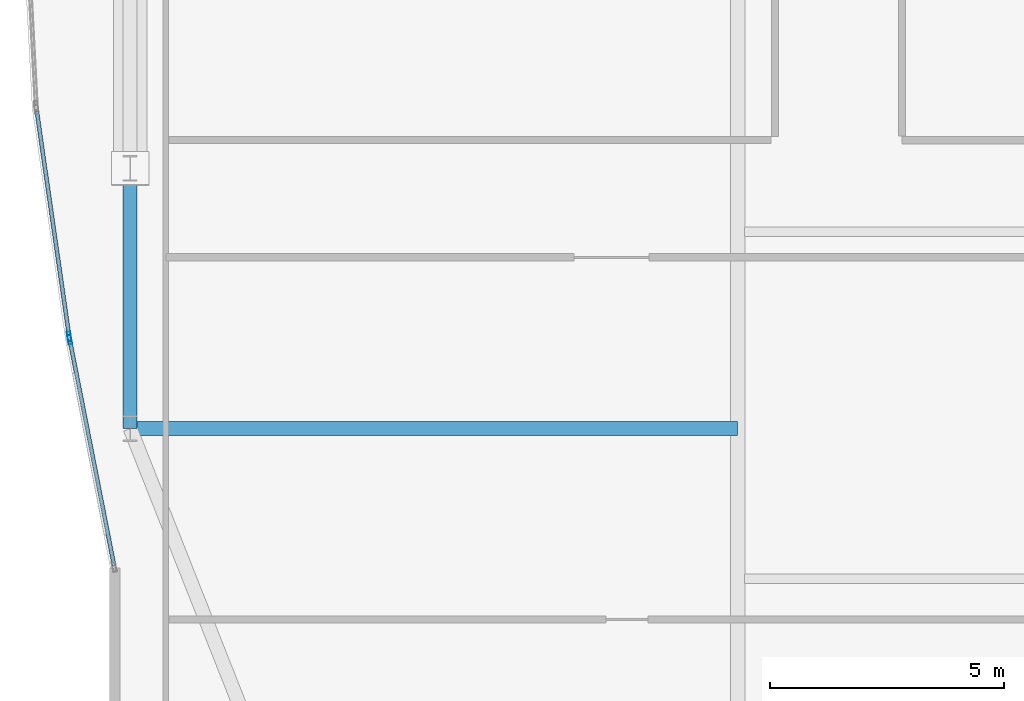
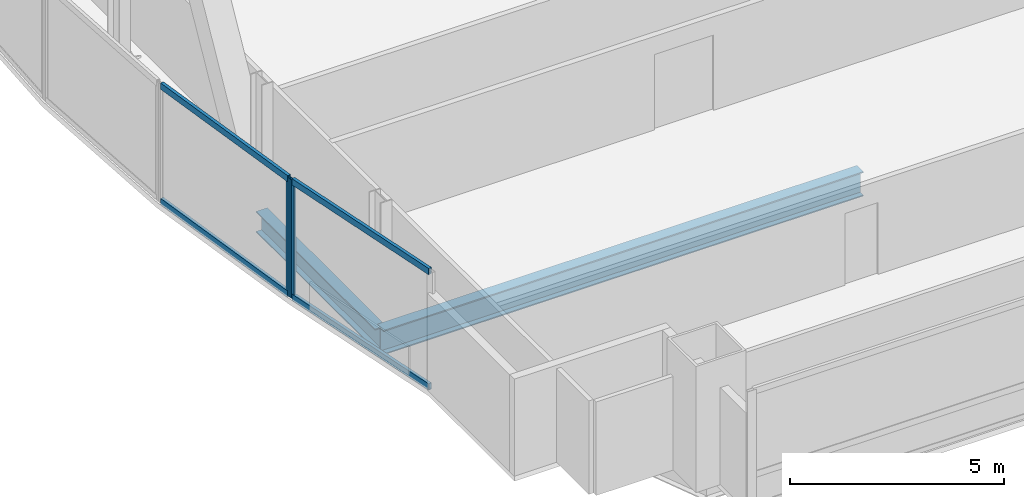
# One storey, part 6 of 31: 6 members, 2 beams, 2 elements without a shape of their own.
"""IFC4 building model written with IfcOpenShell, lengths in metres."""

import ifcopenshell
import ifcopenshell.guid

model = None  # the IFC model being written
_history = None  # IfcOwnerHistory: only IFC2X3 demands one
_inside = {}  # id of a spatial element -> (the spatial element, [elements in it])
_under = {}  # id of a project, library or spatial element -> (it, [spatial elements below it])
_declared = {}  # id of a project -> (the project, [libraries it declares])
_typed = {}  # id of a type object -> (the type object, [elements of that type])
_made_of = {}  # id of a material, layer set ... -> (it, [elements and type objects made of it])


def new_model(schema):
    """Start an empty IFC model of exactly this schema.

    Asked for "IFC4X3", IfcOpenShell would pick the latest addendum, in which some entities
    have other attributes; the version numbers below select the first issue.
    IFC2X3 requires an IfcOwnerHistory on every rooted entity: one is made here for all.
    """
    global model, _history
    if schema == "IFC4X3":
        model = ifcopenshell.file(schema_version=(4, 3, 0, 0))
    else:
        model = ifcopenshell.file(schema=schema)
    _inside.clear()
    _under.clear()
    _declared.clear()
    _typed.clear()
    _made_of.clear()
    _history = None
    if model.schema == "IFC2X3":
        org = make("IfcOrganization", Name="unknown")
        user = make(
            "IfcPersonAndOrganization",
            ThePerson=make("IfcPerson", FamilyName="unknown"),
            TheOrganization=org,
        )
        app = make(
            "IfcApplication",
            ApplicationDeveloper=org,
            Version="unknown",
            ApplicationFullName="unknown",
            ApplicationIdentifier="unknown",
        )
        _history = make(
            "IfcOwnerHistory",
            OwningUser=user,
            OwningApplication=app,
            ChangeAction="ADDED",
            CreationDate=0,
        )
    return model


def make(cls, **values):
    """One entity of the class cls with the attributes given. An attribute that is None is left unset."""
    return model.create_entity(
        cls, **{name: value for name, value in values.items() if value is not None}
    )


def rooted(cls, **values):
    """An entity with a GlobalId (a new one), such as an element, a storey or a relation."""
    return make(cls, GlobalId=ifcopenshell.guid.new(), OwnerHistory=_history, **values)


def si_unit(unit_type, name, prefix=None):
    """IfcSIUnit, for example si_unit("LENGTHUNIT", "METRE", prefix="MILLI")."""
    return make("IfcSIUnit", UnitType=unit_type, Prefix=prefix, Name=name)


def assignment(units):
    """IfcUnitAssignment: the units of a project."""
    return None if units is None else make("IfcUnitAssignment", Units=units)


def point(xyz):
    """IfcCartesianPoint."""
    return None if xyz is None else make("IfcCartesianPoint", Coordinates=xyz)


def direction(xyz):
    """IfcDirection."""
    return None if xyz is None else make("IfcDirection", DirectionRatios=xyz)


def frame(location, z_axis=None, x_axis=None):
    """IfcAxis2Placement3D, a coordinate frame: its origin and axes. An axis left out is left unset."""
    return make(
        "IfcAxis2Placement3D",
        Location=point(location),
        Axis=direction(z_axis),
        RefDirection=direction(x_axis),
    )


def frame_2d(location, x_axis=None):
    """IfcAxis2Placement2D, a coordinate frame in the plane: its origin and x axis."""
    return make(
        "IfcAxis2Placement2D", Location=point(location), RefDirection=direction(x_axis)
    )


def origin():
    """The frame at (0, 0, 0) with its axes left unset."""
    return frame((0.0, 0.0, 0.0))


def origin_2d():
    """The frame at (0, 0) in the plane with its x axis left unset."""
    return frame_2d((0.0, 0.0))


def place(relative_to, where):
    """IfcLocalPlacement: puts the frame where relative to a parent placement (None: the world)."""
    return make(
        "IfcLocalPlacement", PlacementRelTo=relative_to, RelativePlacement=where
    )


def context(
    kind, dimensions, precision=None, world=None, true_north=None, identifier=None
):
    """IfcGeometricRepresentationContext, for example the 3D "Model" context."""
    return make(
        "IfcGeometricRepresentationContext",
        ContextIdentifier=identifier,
        ContextType=kind,
        CoordinateSpaceDimension=dimensions,
        Precision=precision,
        WorldCoordinateSystem=world,
        TrueNorth=true_north,
    )


def subcontext(parent, identifier, kind, view, scale=None):
    """IfcGeometricRepresentationSubContext, for example "Body" below "Model"."""
    return make(
        "IfcGeometricRepresentationSubContext",
        ContextIdentifier=identifier,
        ContextType=kind,
        ParentContext=parent,
        TargetScale=scale,
        TargetView=view,
    )


def project(units=None, contexts=None):
    """IfcProject with its units and contexts."""
    return rooted(
        "IfcProject",
        Name="project",
        RepresentationContexts=contexts,
        UnitsInContext=assignment(units),
    )


def spatial(cls, under=None, at=None, **own):
    """A site, building, storey or space (cls), placed at a placement, below another one or the project."""
    s = rooted(cls, ObjectPlacement=at, **own)
    if under is not None:
        _under.setdefault(under.id(), (under, []))[1].append(s)
    return s


def profile(cls, at=None, kind="AREA", **sizes):
    """A parametric profile (cls). Its sizes go by their IFC names, for example OverallWidth=200.0."""
    return make(cls, ProfileType=kind, Position=at, **sizes)


def hollow_rectangle(**sizes):
    """IfcRectangleHollowProfileDef."""
    return profile("IfcRectangleHollowProfileDef", **sizes)


def i_section(**sizes):
    """IfcIShapeProfileDef."""
    return profile("IfcIShapeProfileDef", **sizes)


def extrude(swept, where, along, depth):
    """IfcExtrudedAreaSolid: the profile swept, set in the frame where, extruded along a direction by depth."""
    return make(
        "IfcExtrudedAreaSolid",
        SweptArea=swept,
        Position=where,
        ExtrudedDirection=direction(along),
        Depth=depth,
    )


def shape(context_of_items, identifier, shape_type, items):
    """IfcShapeRepresentation: the items that make up one representation, for example the "Body"."""
    return make(
        "IfcShapeRepresentation",
        ContextOfItems=context_of_items,
        RepresentationIdentifier=identifier,
        RepresentationType=shape_type,
        Items=items,
    )


def material(Name=None, Category=None):
    """IfcMaterial."""
    return make("IfcMaterial", Name=Name, Category=Category)


def material_profile(
    of_material, cross_section, Name=None, Category=None, Priority=None
):
    """IfcMaterialProfile: a cross section and its material."""
    return make(
        "IfcMaterialProfile",
        Name=Name,
        Material=of_material,
        Profile=cross_section,
        Priority=Priority,
        Category=Category,
    )


def profile_set(profiles, Name=None, composite=None):
    """IfcMaterialProfileSet."""
    return make(
        "IfcMaterialProfileSet",
        Name=Name,
        MaterialProfiles=profiles,
        CompositeProfile=composite,
    )


def made_of(thing, what):
    """Note that an element or type object is made of a material, layer set ...; save() writes the relation."""
    if what is not None:
        _made_of.setdefault(what.id(), (what, []))[1].append(thing)
    return thing


def type_object(cls, material=None, **own):
    """A type object (cls), such as IfcWallType, which elements share."""
    return made_of(rooted(cls, **own), material)


def element(
    cls,
    number,
    at=None,
    inside=None,
    cuts=None,
    type_object=None,
    material=None,
    context=None,
    identifier="Body",
    shape_type=None,
    held_by="IfcProductDefinitionShape",
    body=None,
    shapes=None,
    **own,
):
    """One element of the class cls, such as IfcWall. Its Tag is "e" and its number.

    at: its placement. inside: the storey or other place that contains it. cuts: it is an
    opening in that element (IfcRelVoidsElement). A single representation is given by context,
    identifier, shape_type and body (its items); several are given by shapes. held_by: the class
    of the entity that holds the representations. save() writes the other relations.
    """
    e = rooted(cls, Tag="e%d" % number, ObjectPlacement=at, **own)
    if body is not None:
        shapes = [shape(context, identifier, shape_type, body)]
    if shapes is not None:
        e.Representation = make(held_by, Representations=shapes)
    if inside is not None:
        _inside.setdefault(inside.id(), (inside, []))[1].append(e)
    if cuts is not None:
        rooted(
            "IfcRelVoidsElement", RelatingBuildingElement=cuts, RelatedOpeningElement=e
        )
    if type_object is not None:
        _typed.setdefault(type_object.id(), (type_object, []))[1].append(e)
    return made_of(e, material)


def aggregate(whole, parts):
    """IfcRelAggregates: a whole, such as a stair, and the parts it consists of."""
    return rooted("IfcRelAggregates", RelatingObject=whole, RelatedObjects=parts)


def save(model, path):
    """Write the relations noted so far, then the file.

    IfcRelAggregates (storeys below a building ...), IfcRelContainedInSpatialStructure (elements
    in a storey), IfcRelDefinesByType, IfcRelAssociatesMaterial and IfcRelDeclares: one each for
    every whole, place, type object, material and project.
    """
    for whole, parts in _under.values():
        aggregate(whole, parts)
    for where, things in _inside.values():
        rooted(
            "IfcRelContainedInSpatialStructure",
            RelatedElements=things,
            RelatingStructure=where,
        )
    for kind, things in _typed.values():
        rooted("IfcRelDefinesByType", RelatedObjects=things, RelatingType=kind)
    for what, things in _made_of.values():
        rooted("IfcRelAssociatesMaterial", RelatedObjects=things, RelatingMaterial=what)
    for by, libraries in _declared.values():
        rooted("IfcRelDeclares", RelatingContext=by, RelatedDefinitions=libraries)
    model.write(path)


model = new_model("IFC4")

# Units and contexts
model_context = context("Model", 3, precision=1e-05, world=origin(), true_north=direction((0.0, 1.0)))
body_context = subcontext(model_context, "Body", "Model", "MODEL_VIEW")
ifc_project = project(units=[si_unit("LENGTHUNIT", "METRE"), si_unit("AREAUNIT", "SQUARE_METRE"), si_unit("VOLUMEUNIT", "CUBIC_METRE"), si_unit("PLANEANGLEUNIT", "RADIAN"), si_unit("MASSUNIT", "GRAM", prefix="KILO")], contexts=[model_context])

# Site, building, storey
site_placement = place(None, origin())
site = spatial("IfcSite", under=ifc_project, at=site_placement, CompositionType="ELEMENT")
building_placement = place(site_placement, origin())
building = spatial("IfcBuilding", under=site, at=building_placement, Name="Khoronbel Lancet Exchange", CompositionType="ELEMENT")
storey_placement = place(building_placement, frame((0.0, 0.0, 168.60009765625)))
storey = spatial("IfcBuildingStorey", under=building, at=storey_placement, Name="L42", CompositionType="ELEMENT", Elevation=168.60009765625)

# Beams
ifc_material_1 = material(Name="Steel S355", Category="steel")
ifc_material_profile_1 = material_profile(ifc_material_1, i_section(OverallWidth=0.300048828125, OverallDepth=0.699951171875, WebThickness=0.01708984375, FlangeThickness=0.031982421875, at=origin_2d()), Name="HEB 700")
ifc_profile_set_1 = profile_set([ifc_material_profile_1], Name="Steel S355")
beam_type_1 = type_object("IfcBeamType", Name="BM-BG3", PredefinedType="BEAM", material=ifc_profile_set_1)
beam_1_placement = place(storey_placement, frame((5.27001953125, 19.199951171875, -0.510009765625), z_axis=(1.0, 0.0, 0.0), x_axis=(0.0, 1.0, 0.0)))
element("IfcBeam", 1, at=beam_1_placement, inside=storey, type_object=beam_type_1, Name="Level L42 west lens tie girder LG1W", PredefinedType="BEAM", context=body_context, shape_type="SweptSolid", body=[
    extrude(i_section(OverallWidth=0.300048828125, OverallDepth=0.699951171875, WebThickness=0.01708984375, FlangeThickness=0.031982421875, at=origin_2d()), origin(), (0.0, 0.0, 1.0), 12.955078125),
])
ifc_material_profile_2 = material_profile(ifc_material_1, i_section(OverallWidth=0.300048828125, OverallDepth=0.60009765625, WebThickness=0.015380859375, FlangeThickness=0.030029296875, at=origin_2d()), Name="HEB 600")
ifc_profile_set_2 = profile_set([ifc_material_profile_2], Name="Steel S355")
beam_type_2 = type_object("IfcBeamType", Name="BM-BSP2", PredefinedType="SPANDREL", material=ifc_profile_set_2)
beam_2_placement = place(storey_placement, frame((5.27001953125, 24.75, -0.460205078125), z_axis=(0.0, -1.0, 0.0), x_axis=(1.0, 0.0, 0.0)))
element("IfcBeam", 2, at=beam_2_placement, inside=storey, type_object=beam_type_2, Name="Level L42 perimeter spandrel beam SP20", PredefinedType="SPANDREL", context=body_context, shape_type="SweptSolid", body=[
    extrude(i_section(OverallWidth=0.300048828125, OverallDepth=0.60009765625, WebThickness=0.015380859375, FlangeThickness=0.030029296875, at=origin_2d()), origin(), (0.0, 0.0, 1.0), 5.550048828125),
])

# Curtain wall, member
ifc_material_2 = material(Name="Low-E Solar Control Insulating Glass", Category="glass")
curtain_wall_type = type_object("IfcCurtainWallType", Name="CW-4", PredefinedType="NOTDEFINED", material=ifc_material_2)
curtain_wall_1_placement = place(storey_placement, origin())
curtain_wall_1 = element("IfcCurtainWall", 3, at=curtain_wall_1_placement, inside=storey, type_object=curtain_wall_type, Name="Unitised curtain wall CW-L42-E04", PredefinedType="NOTDEFINED")
ifc_material_3 = material(Name="Bronze-Anodised Aluminium 6063-T6", Category="aluminium")
ifc_material_profile_3 = material_profile(ifc_material_3, hollow_rectangle(XDim=0.074951171875, YDim=0.199951171875, WallThickness=0.0048828125, at=origin_2d()), Name="ALU MULLION 75x200")
ifc_profile_set_3 = profile_set([ifc_material_profile_3], Name="Bronze-Anodised Aluminium 6063-T6")
member_type_1 = type_object("IfcMemberType", Name="MEM-CWM2", PredefinedType="MULLION", material=ifc_profile_set_3)
member_1_placement = place(storey_placement, frame((3.980712890625, 21.094970703125, 0.0), z_axis=(0.0, 0.0, 1.0), x_axis=(-0.981272105563, -0.192626724116, 0.0)))
member_1 = element("IfcMember", 4, at=member_1_placement, type_object=member_type_1, Name="CW4 mullion 2", PredefinedType="MULLION", context=body_context, shape_type="SweptSolid", body=[
    extrude(hollow_rectangle(XDim=0.074951171875, YDim=0.199951171875, WallThickness=0.0048828125, at=origin_2d()), origin(), (0.0, 0.0, 1.0), 3.3798828125),
])

curtain_wall_2_placement = place(storey_placement, origin())
curtain_wall_2 = element("IfcCurtainWall", 5, at=curtain_wall_2_placement, inside=storey, type_object=curtain_wall_type, Name="Unitised curtain wall CW-L42-E05", PredefinedType="NOTDEFINED")
member_2_placement = place(storey_placement, frame((3.96826171875, 21.1689453125, 0.0), z_axis=(0.0, 0.0, 1.0), x_axis=(-0.989829804459, -0.142256663132, 0.0)))
member_2 = element("IfcMember", 6, at=member_2_placement, type_object=member_type_1, Name="CW4 mullion 1", PredefinedType="MULLION", context=body_context, shape_type="SweptSolid", body=[
    extrude(hollow_rectangle(XDim=0.074951171875, YDim=0.199951171875, WallThickness=0.0048828125, at=origin_2d()), origin(), (0.0, 0.0, 1.0), 3.3798828125),
])

# Member
ifc_material_profile_4 = material_profile(ifc_material_3, hollow_rectangle(XDim=0.0849609375, YDim=0.179931640625, WallThickness=0.0048828125, at=origin_2d()), Name="ALU TRANSOM 85x180")
ifc_profile_set_4 = profile_set([ifc_material_profile_4], Name="Bronze-Anodised Aluminium 6063-T6")
member_type_2 = type_object("IfcMemberType", Name="MEM-CWT1", PredefinedType="USERDEFINED", material=ifc_profile_set_4)
member_3_placement = place(storey_placement, frame((4.925537109375, 16.282470703125, 0.04248046875), z_axis=(-0.192632312891, 0.981271008453, 0.0), x_axis=(-0.981271008453, -0.192632312891, 0.0)))
member_3 = element("IfcMember", 7, at=member_3_placement, type_object=member_type_2, Name="CW4 transom 1.1", ObjectType="TRANSOM", PredefinedType="USERDEFINED", context=body_context, shape_type="SweptSolid", body=[
    extrude(hollow_rectangle(XDim=0.0849609375, YDim=0.179931640625, WallThickness=0.0048828125, at=origin_2d()), origin(), (0.0, 0.0, 1.0), 4.86669921875),
])

member_4_placement = place(storey_placement, frame((4.925537109375, 16.282470703125, 3.33740234375), z_axis=(-0.192632312891, 0.981271008453, 0.0), x_axis=(-0.981271008453, -0.192632312891, 0.0)))
member_4 = element("IfcMember", 8, at=member_4_placement, type_object=member_type_2, Name="CW4 transom 1.2", ObjectType="TRANSOM", PredefinedType="USERDEFINED", context=body_context, shape_type="SweptSolid", body=[
    extrude(hollow_rectangle(XDim=0.0849609375, YDim=0.179931640625, WallThickness=0.0048828125, at=origin_2d()), origin(), (0.0, 0.0, 1.0), 4.86669921875),
])

aggregate(curtain_wall_1, [member_1, member_3, member_4])

member_5_placement = place(storey_placement, frame((3.962890625, 21.2060546875, 0.04248046875), z_axis=(-0.142252593383, 0.989830389348, 0.0), x_axis=(-0.989830389348, -0.142252593383, 0.0)))
member_5 = element("IfcMember", 9, at=member_5_placement, type_object=member_type_2, Name="CW4 transom 1.1", ObjectType="TRANSOM", PredefinedType="USERDEFINED", context=body_context, shape_type="SweptSolid", body=[
    extrude(hollow_rectangle(XDim=0.0849609375, YDim=0.179931640625, WallThickness=0.0048828125, at=origin_2d()), origin(), (0.0, 0.0, 1.0), 4.810546875),
])

member_6_placement = place(storey_placement, frame((3.962890625, 21.2060546875, 3.33740234375), z_axis=(-0.142252593383, 0.989830389348, 0.0), x_axis=(-0.989830389348, -0.142252593383, 0.0)))
member_6 = element("IfcMember", 10, at=member_6_placement, type_object=member_type_2, Name="CW4 transom 1.2", ObjectType="TRANSOM", PredefinedType="USERDEFINED", context=body_context, shape_type="SweptSolid", body=[
    extrude(hollow_rectangle(XDim=0.0849609375, YDim=0.179931640625, WallThickness=0.0048828125, at=origin_2d()), origin(), (0.0, 0.0, 1.0), 4.810546875),
])

aggregate(curtain_wall_2, [member_2, member_5, member_6])

save(model, "model.ifc")
